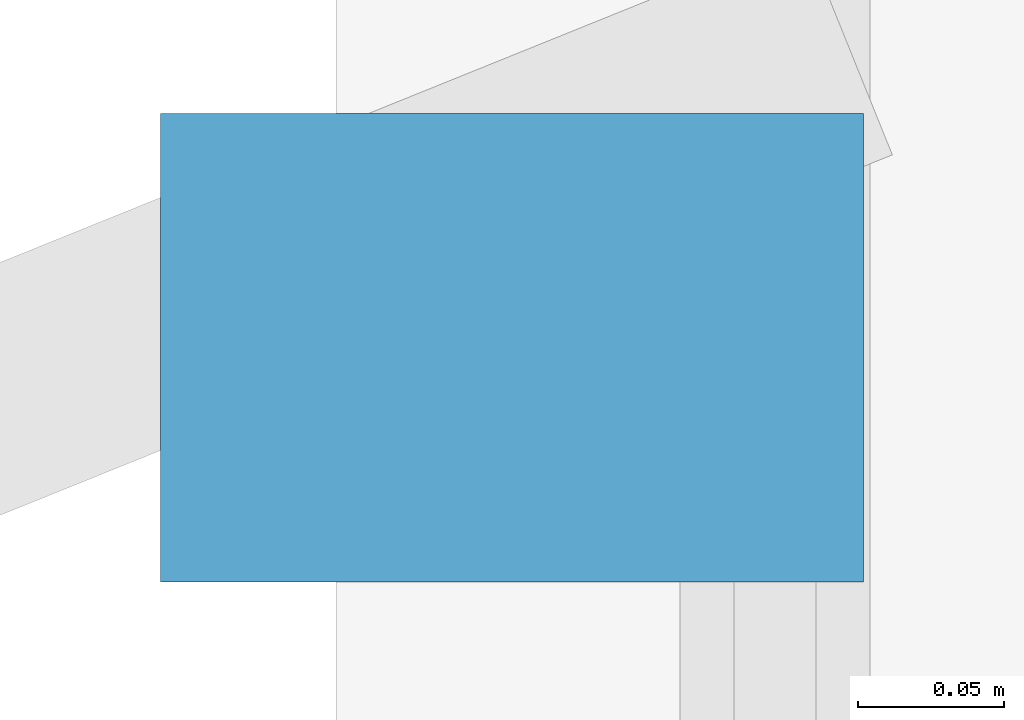
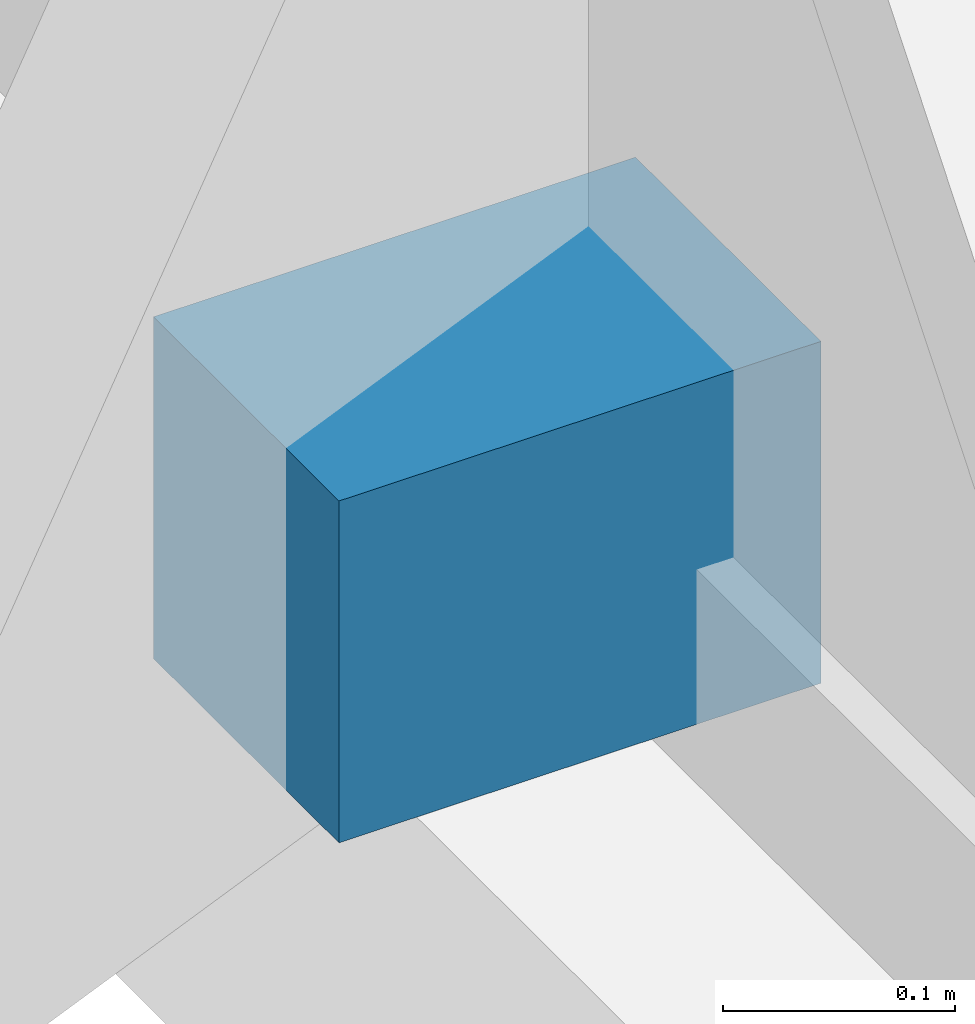
# One storey, part 27 of 30: 1 discrete accessory.
"""IFC4 building model written with IfcOpenShell, lengths in metres."""

from ifc_helpers import new_model, si_unit, direction, frame, origin, origin_2d, place, context, subcontext, project, spatial, rectangle, extrude, material, type_object, element, save


model = new_model("IFC4")

# Units and contexts
model_context = context("Model", 3, precision=1e-05, world=origin(), true_north=direction((0.0, 1.0)))
body_context = subcontext(model_context, "Body", "Model", "MODEL_VIEW")
ifc_project = project(units=[si_unit("LENGTHUNIT", "METRE"), si_unit("AREAUNIT", "SQUARE_METRE"), si_unit("VOLUMEUNIT", "CUBIC_METRE"), si_unit("PLANEANGLEUNIT", "RADIAN"), si_unit("MASSUNIT", "GRAM", prefix="KILO")], contexts=[model_context])

# Site, building, storey
site_placement = place(None, origin())
site = spatial("IfcSite", under=ifc_project, at=site_placement, CompositionType="ELEMENT")
building_placement = place(site_placement, origin())
building = spatial("IfcBuilding", under=site, at=building_placement, Name="Calvorn Quay Hotel", CompositionType="ELEMENT")
storey_placement = place(building_placement, frame((0.0, 0.0, 54.60009765625)))
storey = spatial("IfcBuildingStorey", under=building, at=storey_placement, Name="L12", CompositionType="ELEMENT", Elevation=54.60009765625)

# Discrete accessory
ifc_material = material(Name="Steel Q355B", Category="steel")
discrete_accessory_type = type_object("IfcDiscreteAccessoryType", Name="ACC-FIN-BRACKET", PredefinedType="BRACKET", material=ifc_material)
discrete_accessory_placement = place(storey_placement, frame((0.06005859375, 37.25, 0.02978515625), z_axis=(0.0, 0.0, 1.0), x_axis=(1.0, 0.0, 0.0)))
element("IfcDiscreteAccessory", 1, at=discrete_accessory_placement, inside=storey, type_object=discrete_accessory_type, Name="Fin Anchor Bracket L12-W03", PredefinedType="BRACKET", context=body_context, shape_type="SweptSolid", body=[
    extrude(rectangle(XDim=0.239990234375, YDim=0.159912109375, at=origin_2d()), origin(), (0.0, 0.0, 1.0), 0.179931640625),
])

save(model, "model.ifc")
